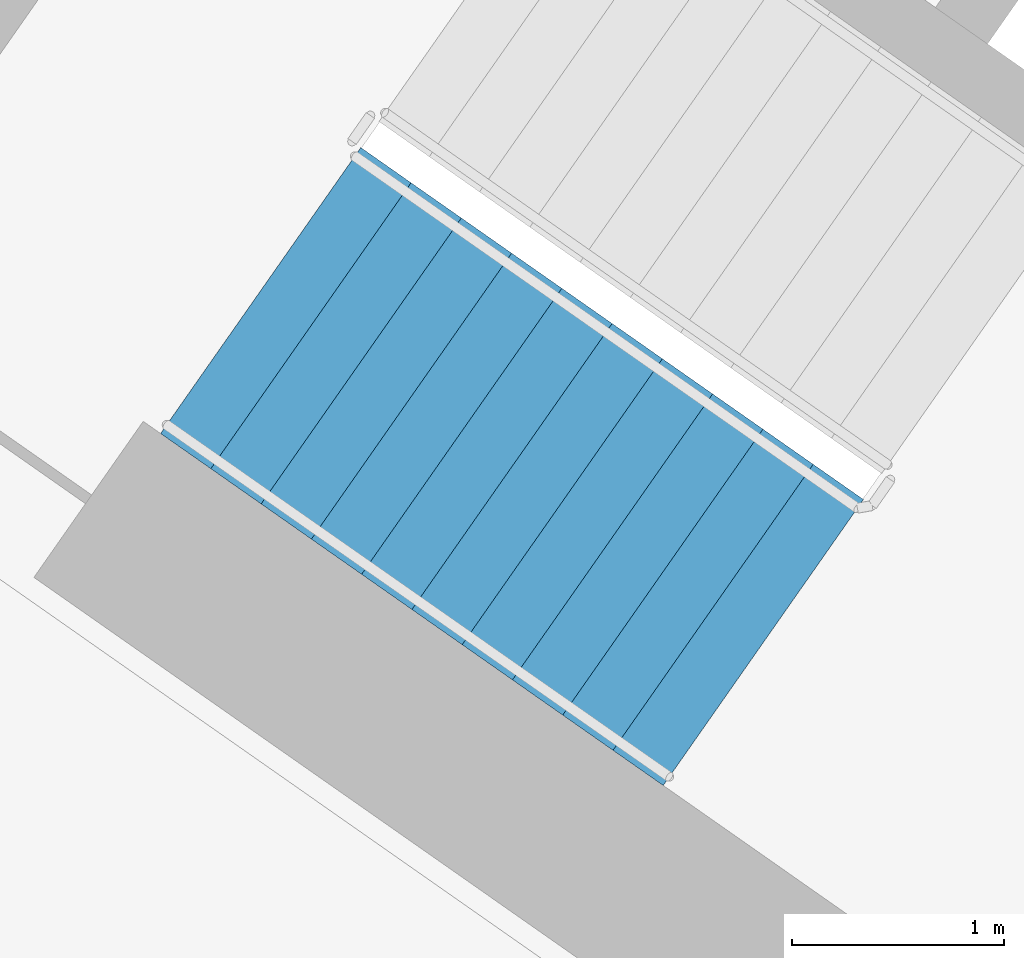
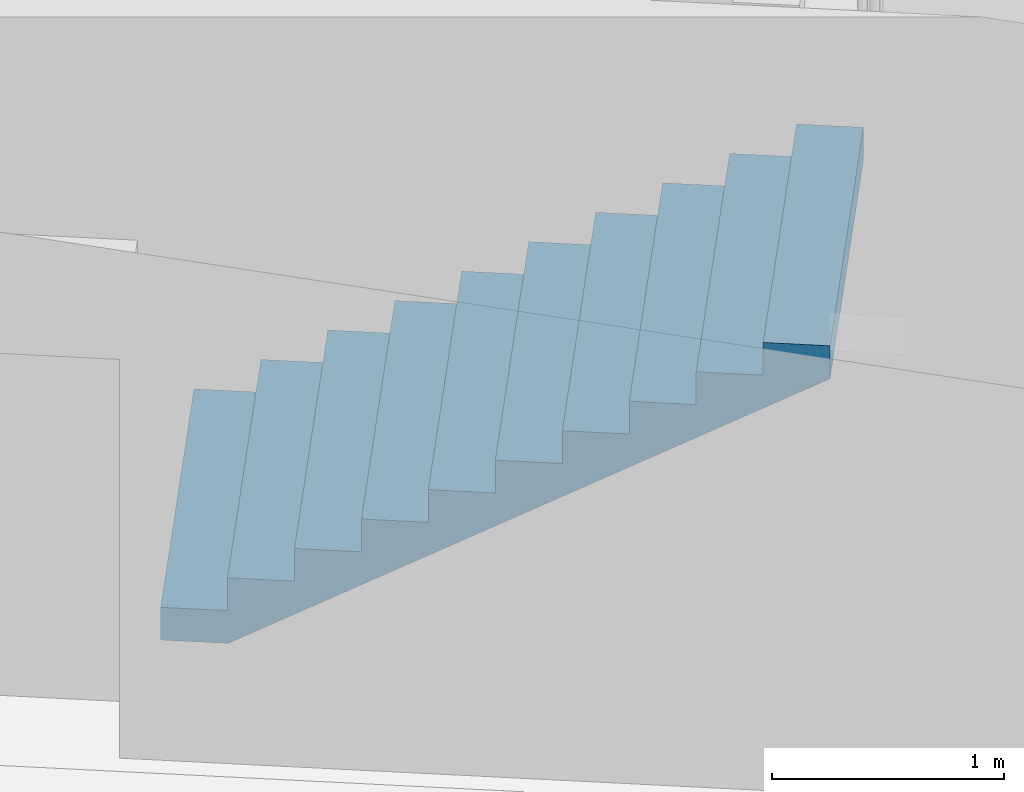
# One storey, part 10 of 31: 1 stair flight, 1 element without a shape of its own.
"""IFC4 building model written with IfcOpenShell, lengths in metres."""

import ifcopenshell
import ifcopenshell.guid

model = None  # the IFC model being written
_history = None  # IfcOwnerHistory: only IFC2X3 demands one
_inside = {}  # id of a spatial element -> (the spatial element, [elements in it])
_under = {}  # id of a project, library or spatial element -> (it, [spatial elements below it])
_declared = {}  # id of a project -> (the project, [libraries it declares])
_typed = {}  # id of a type object -> (the type object, [elements of that type])
_made_of = {}  # id of a material, layer set ... -> (it, [elements and type objects made of it])


def new_model(schema):
    """Start an empty IFC model of exactly this schema.

    Asked for "IFC4X3", IfcOpenShell would pick the latest addendum, in which some entities
    have other attributes; the version numbers below select the first issue.
    IFC2X3 requires an IfcOwnerHistory on every rooted entity: one is made here for all.
    """
    global model, _history
    if schema == "IFC4X3":
        model = ifcopenshell.file(schema_version=(4, 3, 0, 0))
    else:
        model = ifcopenshell.file(schema=schema)
    _inside.clear()
    _under.clear()
    _declared.clear()
    _typed.clear()
    _made_of.clear()
    _history = None
    if model.schema == "IFC2X3":
        org = make("IfcOrganization", Name="unknown")
        user = make(
            "IfcPersonAndOrganization",
            ThePerson=make("IfcPerson", FamilyName="unknown"),
            TheOrganization=org,
        )
        app = make(
            "IfcApplication",
            ApplicationDeveloper=org,
            Version="unknown",
            ApplicationFullName="unknown",
            ApplicationIdentifier="unknown",
        )
        _history = make(
            "IfcOwnerHistory",
            OwningUser=user,
            OwningApplication=app,
            ChangeAction="ADDED",
            CreationDate=0,
        )
    return model


def make(cls, **values):
    """One entity of the class cls with the attributes given. An attribute that is None is left unset."""
    return model.create_entity(
        cls, **{name: value for name, value in values.items() if value is not None}
    )


def rooted(cls, **values):
    """An entity with a GlobalId (a new one), such as an element, a storey or a relation."""
    return make(cls, GlobalId=ifcopenshell.guid.new(), OwnerHistory=_history, **values)


def si_unit(unit_type, name, prefix=None):
    """IfcSIUnit, for example si_unit("LENGTHUNIT", "METRE", prefix="MILLI")."""
    return make("IfcSIUnit", UnitType=unit_type, Prefix=prefix, Name=name)


def assignment(units):
    """IfcUnitAssignment: the units of a project."""
    return None if units is None else make("IfcUnitAssignment", Units=units)


def point(xyz):
    """IfcCartesianPoint."""
    return None if xyz is None else make("IfcCartesianPoint", Coordinates=xyz)


def direction(xyz):
    """IfcDirection."""
    return None if xyz is None else make("IfcDirection", DirectionRatios=xyz)


def frame(location, z_axis=None, x_axis=None):
    """IfcAxis2Placement3D, a coordinate frame: its origin and axes. An axis left out is left unset."""
    return make(
        "IfcAxis2Placement3D",
        Location=point(location),
        Axis=direction(z_axis),
        RefDirection=direction(x_axis),
    )


def origin():
    """The frame at (0, 0, 0) with its axes left unset."""
    return frame((0.0, 0.0, 0.0))


def place(relative_to, where):
    """IfcLocalPlacement: puts the frame where relative to a parent placement (None: the world)."""
    return make(
        "IfcLocalPlacement", PlacementRelTo=relative_to, RelativePlacement=where
    )


def context(
    kind, dimensions, precision=None, world=None, true_north=None, identifier=None
):
    """IfcGeometricRepresentationContext, for example the 3D "Model" context."""
    return make(
        "IfcGeometricRepresentationContext",
        ContextIdentifier=identifier,
        ContextType=kind,
        CoordinateSpaceDimension=dimensions,
        Precision=precision,
        WorldCoordinateSystem=world,
        TrueNorth=true_north,
    )


def subcontext(parent, identifier, kind, view, scale=None):
    """IfcGeometricRepresentationSubContext, for example "Body" below "Model"."""
    return make(
        "IfcGeometricRepresentationSubContext",
        ContextIdentifier=identifier,
        ContextType=kind,
        ParentContext=parent,
        TargetScale=scale,
        TargetView=view,
    )


def project(units=None, contexts=None):
    """IfcProject with its units and contexts."""
    return rooted(
        "IfcProject",
        Name="project",
        RepresentationContexts=contexts,
        UnitsInContext=assignment(units),
    )


def spatial(cls, under=None, at=None, **own):
    """A site, building, storey or space (cls), placed at a placement, below another one or the project."""
    s = rooted(cls, ObjectPlacement=at, **own)
    if under is not None:
        _under.setdefault(under.id(), (under, []))[1].append(s)
    return s


def faces_of(points, faces, orient=None, outer=None):
    """IfcFace entities. A face is a list of loops; a loop is a list of indices into points, from 0.

    orient and outer hold one flag for each loop. By default every Orientation is true, the
    first loop of a face is its IfcFaceOuterBound and the others are IfcFaceBound.
    """
    made = []
    for i, loops in enumerate(faces):
        bounds = []
        for j, loop in enumerate(loops):
            is_outer = j == 0 if outer is None else outer[i][j]
            bounds.append(
                make(
                    "IfcFaceOuterBound" if is_outer else "IfcFaceBound",
                    Bound=make("IfcPolyLoop", Polygon=[points[k] for k in loop]),
                    Orientation=True if orient is None else orient[i][j],
                )
            )
        made.append(make("IfcFace", Bounds=bounds))
    return made


def faceted_brep(points, faces, orient=None, outer=None, voids=None):
    """IfcFacetedBrep: a solid bounded by flat faces; with voids (closed shells), ...WithVoids."""
    shared = [point(p) for p in points]
    hull = make("IfcClosedShell", CfsFaces=faces_of(shared, faces, orient, outer))
    if voids is None:
        return make("IfcFacetedBrep", Outer=hull)
    return make(
        "IfcFacetedBrepWithVoids",
        Outer=hull,
        Voids=[
            make(cls, CfsFaces=faces_of(shared, fs, o, b)) for cls, fs, o, b in voids
        ],
    )


def shape(context_of_items, identifier, shape_type, items):
    """IfcShapeRepresentation: the items that make up one representation, for example the "Body"."""
    return make(
        "IfcShapeRepresentation",
        ContextOfItems=context_of_items,
        RepresentationIdentifier=identifier,
        RepresentationType=shape_type,
        Items=items,
    )


def material(Name=None, Category=None):
    """IfcMaterial."""
    return make("IfcMaterial", Name=Name, Category=Category)


def made_of(thing, what):
    """Note that an element or type object is made of a material, layer set ...; save() writes the relation."""
    if what is not None:
        _made_of.setdefault(what.id(), (what, []))[1].append(thing)
    return thing


def type_object(cls, material=None, **own):
    """A type object (cls), such as IfcWallType, which elements share."""
    return made_of(rooted(cls, **own), material)


def element(
    cls,
    number,
    at=None,
    inside=None,
    cuts=None,
    type_object=None,
    material=None,
    context=None,
    identifier="Body",
    shape_type=None,
    held_by="IfcProductDefinitionShape",
    body=None,
    shapes=None,
    **own,
):
    """One element of the class cls, such as IfcWall. Its Tag is "e" and its number.

    at: its placement. inside: the storey or other place that contains it. cuts: it is an
    opening in that element (IfcRelVoidsElement). A single representation is given by context,
    identifier, shape_type and body (its items); several are given by shapes. held_by: the class
    of the entity that holds the representations. save() writes the other relations.
    """
    e = rooted(cls, Tag="e%d" % number, ObjectPlacement=at, **own)
    if body is not None:
        shapes = [shape(context, identifier, shape_type, body)]
    if shapes is not None:
        e.Representation = make(held_by, Representations=shapes)
    if inside is not None:
        _inside.setdefault(inside.id(), (inside, []))[1].append(e)
    if cuts is not None:
        rooted(
            "IfcRelVoidsElement", RelatingBuildingElement=cuts, RelatedOpeningElement=e
        )
    if type_object is not None:
        _typed.setdefault(type_object.id(), (type_object, []))[1].append(e)
    return made_of(e, material)


def aggregate(whole, parts):
    """IfcRelAggregates: a whole, such as a stair, and the parts it consists of."""
    return rooted("IfcRelAggregates", RelatingObject=whole, RelatedObjects=parts)


def save(model, path):
    """Write the relations noted so far, then the file.

    IfcRelAggregates (storeys below a building ...), IfcRelContainedInSpatialStructure (elements
    in a storey), IfcRelDefinesByType, IfcRelAssociatesMaterial and IfcRelDeclares: one each for
    every whole, place, type object, material and project.
    """
    for whole, parts in _under.values():
        aggregate(whole, parts)
    for where, things in _inside.values():
        rooted(
            "IfcRelContainedInSpatialStructure",
            RelatedElements=things,
            RelatingStructure=where,
        )
    for kind, things in _typed.values():
        rooted("IfcRelDefinesByType", RelatedObjects=things, RelatingType=kind)
    for what, things in _made_of.values():
        rooted("IfcRelAssociatesMaterial", RelatedObjects=things, RelatingMaterial=what)
    for by, libraries in _declared.values():
        rooted("IfcRelDeclares", RelatingContext=by, RelatedDefinitions=libraries)
    model.write(path)


model = new_model("IFC4")

# Units and contexts
model_context = context("Model", 3, precision=1e-05, world=origin(), true_north=direction((0.0, 1.0)))
body_context = subcontext(model_context, "Body", "Model", "MODEL_VIEW")
ifc_project = project(units=[si_unit("LENGTHUNIT", "METRE"), si_unit("AREAUNIT", "SQUARE_METRE"), si_unit("VOLUMEUNIT", "CUBIC_METRE"), si_unit("PLANEANGLEUNIT", "RADIAN"), si_unit("MASSUNIT", "GRAM", prefix="KILO")], contexts=[model_context])

# Site, building, storey
site_placement = place(None, origin())
site = spatial("IfcSite", under=ifc_project, at=site_placement, CompositionType="ELEMENT")
building_placement = place(site_placement, origin())
building = spatial("IfcBuilding", under=site, at=building_placement, Name="Qamariyya Broadcast Tower", CompositionType="ELEMENT")
storey_placement = place(building_placement, frame((0.0, 0.0, 48.10009765625)))
storey = spatial("IfcBuildingStorey", under=building, at=storey_placement, Name="L08", CompositionType="ELEMENT", Elevation=48.10009765625)

# Stair, stair flight
ifc_material = material(Name="Concrete C50/60", Category="concrete")
stair_type = type_object("IfcStairType", Name="Exit stair 22 risers of 173 mm", PredefinedType="HALF_TURN_STAIR", material=ifc_material)
stair_placement = place(storey_placement, origin())
stair = element("IfcStair", 1, at=stair_placement, inside=storey, type_object=stair_type, Name="L08 Stair W1", PredefinedType="HALF_TURN_STAIR")
stair_flight_type = type_object("IfcStairFlightType", Name="Exit stair flight 11 risers of 173 mm", PredefinedType="STRAIGHT", material=ifc_material)
stair_flight_placement = place(storey_placement, frame((-47.06884765625, -56.982666015625, 0.0), z_axis=(0.0, 0.0, 1.0), x_axis=(0.819152044289, -0.573576436351, 0.0)))
stair_flight = element("IfcStairFlight", 2, at=stair_flight_placement, type_object=stair_flight_type, Name="ST-W1 flight 1", NumberOfRisers=11, NumberOfTreads=10, PredefinedType="STRAIGHT", RiserHeight=0.172727273, TreadLength=0.29, context=body_context, shape_type="Brep", body=[
    faceted_brep([(0.0, 0.824951171875, 0.0), (0.0, 0.824951171875, 0.172607421875), (0.2900390625, 0.824951171875, 0.172607421875), (0.2900390625, 0.824951171875, 0.345458984375), (0.580078125, 0.824951171875, 0.345458984375), (0.580078125, 0.824951171875, 0.51806640625), (0.8701171875, 0.824951171875, 0.51806640625), (0.8701171875, 0.824951171875, 0.69091796875), (1.159912109375, 0.824951171875, 0.69091796875), (1.159912109375, 0.824951171875, 0.863525390625), (1.449951171875, 0.824951171875, 0.863525390625), (1.449951171875, 0.824951171875, 1.036376953125), (1.739990234375, 0.824951171875, 1.036376953125), (1.739990234375, 0.824951171875, 1.208984375), (2.030029296875, 0.824951171875, 1.208984375), (2.030029296875, 0.824951171875, 1.3818359375), (2.320068359375, 0.824951171875, 1.3818359375), (2.320068359375, 0.824951171875, 1.554443359375), (2.610107421875, 0.824951171875, 1.554443359375), (2.610107421875, 0.824951171875, 1.727294921875), (2.89990234375, 0.824951171875, 1.727294921875), (2.89990234375, 0.824951171875, 1.552734375), (0.29296875, 0.824951171875, 0.0), (0.29296875, -0.824951171875, 0.0), (2.89990234375, -0.824951171875, 1.552734375), (2.89990234375, -0.824951171875, 1.727294921875), (2.610107421875, -0.824951171875, 1.727294921875), (2.610107421875, -0.824951171875, 1.554443359375), (2.320068359375, -0.824951171875, 1.554443359375), (2.320068359375, -0.824951171875, 1.3818359375), (2.030029296875, -0.824951171875, 1.3818359375), (2.030029296875, -0.824951171875, 1.208984375), (1.739990234375, -0.824951171875, 1.208984375), (1.739990234375, -0.824951171875, 1.036376953125), (1.449951171875, -0.824951171875, 1.036376953125), (1.449951171875, -0.824951171875, 0.863525390625), (1.159912109375, -0.824951171875, 0.863525390625), (1.159912109375, -0.824951171875, 0.69091796875), (0.8701171875, -0.824951171875, 0.69091796875), (0.8701171875, -0.824951171875, 0.51806640625), (0.580078125, -0.824951171875, 0.51806640625), (0.580078125, -0.824951171875, 0.345458984375), (0.2900390625, -0.824951171875, 0.345458984375), (0.2900390625, -0.824951171875, 0.172607421875), (0.0, -0.824951171875, 0.172607421875), (0.0, -0.824951171875, 0.0), (0.0, 0.10009765625, 0.0), (0.0, 0.086669921875, 0.0), (0.0, 0.0732421875, 0.0), (0.0, 0.06005859375, 0.0), (0.0, 0.046630859375, 0.0), (0.0, 0.033447265625, 0.0), (0.0, 0.02001953125, 0.0), (0.0, 0.006591796875, 0.0), (0.0, -0.006591796875, 0.0), (0.0, -0.02001953125, 0.0), (0.0, -0.033447265625, 0.0), (0.0, -0.046630859375, 0.0), (0.0, -0.06005859375, 0.0), (0.0, -0.0732421875, 0.0), (0.0, -0.086669921875, 0.0), (0.0, -0.10009765625, 0.0), (0.0, -0.10009765625, 0.172607421875), (0.0, -0.086669921875, 0.172607421875), (0.0, -0.0732421875, 0.172607421875), (0.0, -0.06005859375, 0.172607421875), (0.0, -0.046630859375, 0.172607421875), (0.0, -0.033447265625, 0.172607421875), (0.0, -0.02001953125, 0.172607421875), (0.0, -0.006591796875, 0.172607421875), (0.0, 0.006591796875, 0.172607421875), (0.0, 0.02001953125, 0.172607421875), (0.0, 0.033447265625, 0.172607421875), (0.0, 0.046630859375, 0.172607421875), (0.0, 0.06005859375, 0.172607421875), (0.0, 0.0732421875, 0.172607421875), (0.0, 0.086669921875, 0.172607421875), (0.0, 0.10009765625, 0.172607421875), (0.2900390625, -0.10009765625, 0.172607421875), (0.2900390625, -0.086669921875, 0.172607421875), (0.2900390625, -0.0732421875, 0.172607421875), (0.2900390625, -0.06005859375, 0.172607421875), (0.2900390625, -0.046630859375, 0.172607421875), (0.2900390625, -0.033447265625, 0.172607421875), (0.2900390625, -0.02001953125, 0.172607421875), (0.2900390625, -0.006591796875, 0.172607421875), (0.2900390625, 0.006591796875, 0.172607421875), (0.2900390625, 0.02001953125, 0.172607421875), (0.2900390625, 0.033447265625, 0.172607421875), (0.2900390625, 0.046630859375, 0.172607421875), (0.2900390625, 0.06005859375, 0.172607421875), (0.2900390625, 0.0732421875, 0.172607421875), (0.2900390625, 0.086669921875, 0.172607421875), (0.2900390625, 0.10009765625, 0.172607421875), (0.2900390625, -0.10009765625, 0.345458984375), (0.2900390625, -0.086669921875, 0.345458984375), (0.2900390625, -0.0732421875, 0.345458984375), (0.2900390625, -0.06005859375, 0.345458984375), (0.2900390625, -0.046630859375, 0.345458984375), (0.2900390625, -0.033447265625, 0.345458984375), (0.2900390625, -0.02001953125, 0.345458984375), (0.2900390625, -0.006591796875, 0.345458984375), (0.2900390625, 0.006591796875, 0.345458984375), (0.2900390625, 0.02001953125, 0.345458984375), (0.2900390625, 0.033447265625, 0.345458984375), (0.2900390625, 0.046630859375, 0.345458984375), (0.2900390625, 0.06005859375, 0.345458984375), (0.2900390625, 0.0732421875, 0.345458984375), (0.2900390625, 0.086669921875, 0.345458984375), (0.2900390625, 0.10009765625, 0.345458984375), (0.580078125, -0.10009765625, 0.345458984375), (0.580078125, -0.086669921875, 0.345458984375), (0.580078125, -0.0732421875, 0.345458984375), (0.580078125, -0.06005859375, 0.345458984375), (0.580078125, -0.046630859375, 0.345458984375), (0.580078125, -0.033447265625, 0.345458984375), (0.580078125, -0.02001953125, 0.345458984375), (0.580078125, -0.006591796875, 0.345458984375), (0.580078125, 0.006591796875, 0.345458984375), (0.580078125, 0.02001953125, 0.345458984375), (0.580078125, 0.033447265625, 0.345458984375), (0.580078125, 0.046630859375, 0.345458984375), (0.580078125, 0.06005859375, 0.345458984375), (0.580078125, 0.0732421875, 0.345458984375), (0.580078125, 0.086669921875, 0.345458984375), (0.580078125, 0.10009765625, 0.345458984375), (0.580078125, -0.10009765625, 0.51806640625), (0.580078125, -0.086669921875, 0.51806640625), (0.580078125, -0.0732421875, 0.51806640625), (0.580078125, -0.06005859375, 0.51806640625), (0.580078125, -0.046630859375, 0.51806640625), (0.580078125, -0.033447265625, 0.51806640625), (0.580078125, -0.02001953125, 0.51806640625), (0.580078125, -0.006591796875, 0.51806640625), (0.580078125, 0.006591796875, 0.51806640625), (0.580078125, 0.02001953125, 0.51806640625), (0.580078125, 0.033447265625, 0.51806640625), (0.580078125, 0.046630859375, 0.51806640625), (0.580078125, 0.06005859375, 0.51806640625), (0.580078125, 0.0732421875, 0.51806640625), (0.580078125, 0.086669921875, 0.51806640625), (0.580078125, 0.10009765625, 0.51806640625), (0.8701171875, -0.10009765625, 0.51806640625), (0.8701171875, -0.086669921875, 0.51806640625), (0.8701171875, -0.0732421875, 0.51806640625), (0.8701171875, -0.06005859375, 0.51806640625), (0.8701171875, -0.046630859375, 0.51806640625), (0.8701171875, -0.033447265625, 0.51806640625), (0.8701171875, -0.02001953125, 0.51806640625), (0.8701171875, -0.006591796875, 0.51806640625), (0.8701171875, 0.006591796875, 0.51806640625), (0.8701171875, 0.02001953125, 0.51806640625), (0.8701171875, 0.033447265625, 0.51806640625), (0.8701171875, 0.046630859375, 0.51806640625), (0.8701171875, 0.06005859375, 0.51806640625), (0.8701171875, 0.0732421875, 0.51806640625), (0.8701171875, 0.086669921875, 0.51806640625), (0.8701171875, 0.10009765625, 0.51806640625), (0.8701171875, -0.10009765625, 0.69091796875), (0.8701171875, -0.086669921875, 0.69091796875), (0.8701171875, -0.0732421875, 0.69091796875), (0.8701171875, -0.06005859375, 0.69091796875), (0.8701171875, -0.046630859375, 0.69091796875), (0.8701171875, -0.033447265625, 0.69091796875), (0.8701171875, -0.02001953125, 0.69091796875), (0.8701171875, -0.006591796875, 0.69091796875), (0.8701171875, 0.006591796875, 0.69091796875), (0.8701171875, 0.02001953125, 0.69091796875), (0.8701171875, 0.033447265625, 0.69091796875), (0.8701171875, 0.046630859375, 0.69091796875), (0.8701171875, 0.06005859375, 0.69091796875), (0.8701171875, 0.0732421875, 0.69091796875), (0.8701171875, 0.086669921875, 0.69091796875), (0.8701171875, 0.10009765625, 0.69091796875), (1.159912109375, -0.10009765625, 0.69091796875), (1.159912109375, -0.086669921875, 0.69091796875), (1.159912109375, -0.0732421875, 0.69091796875), (1.159912109375, -0.06005859375, 0.69091796875), (1.159912109375, -0.046630859375, 0.69091796875), (1.159912109375, -0.033447265625, 0.69091796875), (1.159912109375, -0.02001953125, 0.69091796875), (1.159912109375, -0.006591796875, 0.69091796875), (1.159912109375, 0.006591796875, 0.69091796875), (1.159912109375, 0.02001953125, 0.69091796875), (1.159912109375, 0.033447265625, 0.69091796875), (1.159912109375, 0.046630859375, 0.69091796875), (1.159912109375, 0.06005859375, 0.69091796875), (1.159912109375, 0.0732421875, 0.69091796875), (1.159912109375, 0.086669921875, 0.69091796875), (1.159912109375, 0.10009765625, 0.69091796875), (1.159912109375, -0.10009765625, 0.863525390625), (1.159912109375, -0.086669921875, 0.863525390625), (1.159912109375, -0.0732421875, 0.863525390625), (1.159912109375, -0.06005859375, 0.863525390625), (1.159912109375, -0.046630859375, 0.863525390625), (1.159912109375, -0.033447265625, 0.863525390625), (1.159912109375, -0.02001953125, 0.863525390625), (1.159912109375, -0.006591796875, 0.863525390625), (1.159912109375, 0.006591796875, 0.863525390625), (1.159912109375, 0.02001953125, 0.863525390625), (1.159912109375, 0.033447265625, 0.863525390625), (1.159912109375, 0.046630859375, 0.863525390625), (1.159912109375, 0.06005859375, 0.863525390625), (1.159912109375, 0.0732421875, 0.863525390625), (1.159912109375, 0.086669921875, 0.863525390625), (1.159912109375, 0.10009765625, 0.863525390625), (1.449951171875, -0.10009765625, 0.863525390625), (1.449951171875, -0.086669921875, 0.863525390625), (1.449951171875, -0.0732421875, 0.863525390625), (1.449951171875, -0.06005859375, 0.863525390625), (1.449951171875, -0.046630859375, 0.863525390625), (1.449951171875, -0.033447265625, 0.863525390625), (1.449951171875, -0.02001953125, 0.863525390625), (1.449951171875, -0.006591796875, 0.863525390625), (1.449951171875, 0.006591796875, 0.863525390625), (1.449951171875, 0.02001953125, 0.863525390625), (1.449951171875, 0.033447265625, 0.863525390625), (1.449951171875, 0.046630859375, 0.863525390625), (1.449951171875, 0.06005859375, 0.863525390625), (1.449951171875, 0.0732421875, 0.863525390625), (1.449951171875, 0.086669921875, 0.863525390625), (1.449951171875, 0.10009765625, 0.863525390625), (1.449951171875, -0.10009765625, 1.036376953125), (1.449951171875, -0.086669921875, 1.036376953125), (1.449951171875, -0.0732421875, 1.036376953125), (1.449951171875, -0.06005859375, 1.036376953125), (1.449951171875, -0.046630859375, 1.036376953125), (1.449951171875, -0.033447265625, 1.036376953125), (1.449951171875, -0.02001953125, 1.036376953125), (1.449951171875, -0.006591796875, 1.036376953125), (1.449951171875, 0.006591796875, 1.036376953125), (1.449951171875, 0.02001953125, 1.036376953125), (1.449951171875, 0.033447265625, 1.036376953125), (1.449951171875, 0.046630859375, 1.036376953125), (1.449951171875, 0.06005859375, 1.036376953125), (1.449951171875, 0.0732421875, 1.036376953125), (1.449951171875, 0.086669921875, 1.036376953125), (1.449951171875, 0.10009765625, 1.036376953125), (1.739990234375, -0.10009765625, 1.036376953125), (1.739990234375, -0.086669921875, 1.036376953125), (1.739990234375, -0.0732421875, 1.036376953125), (1.739990234375, -0.06005859375, 1.036376953125), (1.739990234375, -0.046630859375, 1.036376953125), (1.739990234375, -0.033447265625, 1.036376953125), (1.739990234375, -0.02001953125, 1.036376953125), (1.739990234375, -0.006591796875, 1.036376953125), (1.739990234375, 0.006591796875, 1.036376953125), (1.739990234375, 0.02001953125, 1.036376953125), (1.739990234375, 0.033447265625, 1.036376953125), (1.739990234375, 0.046630859375, 1.036376953125), (1.739990234375, 0.06005859375, 1.036376953125), (1.739990234375, 0.0732421875, 1.036376953125), (1.739990234375, 0.086669921875, 1.036376953125), (1.739990234375, 0.10009765625, 1.036376953125), (1.739990234375, -0.10009765625, 1.208984375), (1.739990234375, -0.086669921875, 1.208984375), (1.739990234375, -0.0732421875, 1.208984375), (1.739990234375, -0.06005859375, 1.208984375), (1.739990234375, -0.046630859375, 1.208984375), (1.739990234375, -0.033447265625, 1.208984375), (1.739990234375, -0.02001953125, 1.208984375), (1.739990234375, -0.006591796875, 1.208984375), (1.739990234375, 0.006591796875, 1.208984375), (1.739990234375, 0.02001953125, 1.208984375), (1.739990234375, 0.033447265625, 1.208984375), (1.739990234375, 0.046630859375, 1.208984375), (1.739990234375, 0.06005859375, 1.208984375), (1.739990234375, 0.0732421875, 1.208984375), (1.739990234375, 0.086669921875, 1.208984375), (1.739990234375, 0.10009765625, 1.208984375), (2.030029296875, -0.10009765625, 1.208984375), (2.030029296875, -0.086669921875, 1.208984375), (2.030029296875, -0.0732421875, 1.208984375), (2.030029296875, -0.06005859375, 1.208984375), (2.030029296875, -0.046630859375, 1.208984375), (2.030029296875, -0.033447265625, 1.208984375), (2.030029296875, -0.02001953125, 1.208984375), (2.030029296875, -0.006591796875, 1.208984375), (2.030029296875, 0.006591796875, 1.208984375), (2.030029296875, 0.02001953125, 1.208984375), (2.030029296875, 0.033447265625, 1.208984375), (2.030029296875, 0.046630859375, 1.208984375), (2.030029296875, 0.06005859375, 1.208984375), (2.030029296875, 0.0732421875, 1.208984375), (2.030029296875, 0.086669921875, 1.208984375), (2.030029296875, 0.10009765625, 1.208984375), (2.030029296875, -0.10009765625, 1.3818359375), (2.030029296875, -0.086669921875, 1.3818359375), (2.030029296875, -0.0732421875, 1.3818359375), (2.030029296875, -0.06005859375, 1.3818359375), (2.030029296875, -0.046630859375, 1.3818359375), (2.030029296875, -0.033447265625, 1.3818359375), (2.030029296875, -0.02001953125, 1.3818359375), (2.030029296875, -0.006591796875, 1.3818359375), (2.030029296875, 0.006591796875, 1.3818359375), (2.030029296875, 0.02001953125, 1.3818359375), (2.030029296875, 0.033447265625, 1.3818359375), (2.030029296875, 0.046630859375, 1.3818359375), (2.030029296875, 0.06005859375, 1.3818359375), (2.030029296875, 0.0732421875, 1.3818359375), (2.030029296875, 0.086669921875, 1.3818359375), (2.030029296875, 0.10009765625, 1.3818359375), (2.320068359375, -0.10009765625, 1.3818359375), (2.320068359375, -0.086669921875, 1.3818359375), (2.320068359375, -0.0732421875, 1.3818359375), (2.320068359375, -0.06005859375, 1.3818359375), (2.320068359375, -0.046630859375, 1.3818359375), (2.320068359375, -0.033447265625, 1.3818359375), (2.320068359375, -0.02001953125, 1.3818359375), (2.320068359375, -0.006591796875, 1.3818359375), (2.320068359375, 0.006591796875, 1.3818359375), (2.320068359375, 0.02001953125, 1.3818359375), (2.320068359375, 0.033447265625, 1.3818359375), (2.320068359375, 0.046630859375, 1.3818359375), (2.320068359375, 0.06005859375, 1.3818359375), (2.320068359375, 0.0732421875, 1.3818359375), (2.320068359375, 0.086669921875, 1.3818359375), (2.320068359375, 0.10009765625, 1.3818359375), (2.320068359375, -0.10009765625, 1.554443359375), (2.320068359375, -0.086669921875, 1.554443359375), (2.320068359375, -0.0732421875, 1.554443359375), (2.320068359375, -0.06005859375, 1.554443359375), (2.320068359375, -0.046630859375, 1.554443359375), (2.320068359375, -0.033447265625, 1.554443359375), (2.320068359375, -0.02001953125, 1.554443359375), (2.320068359375, -0.006591796875, 1.554443359375), (2.320068359375, 0.006591796875, 1.554443359375), (2.320068359375, 0.02001953125, 1.554443359375), (2.320068359375, 0.033447265625, 1.554443359375), (2.320068359375, 0.046630859375, 1.554443359375), (2.320068359375, 0.06005859375, 1.554443359375), (2.320068359375, 0.0732421875, 1.554443359375), (2.320068359375, 0.086669921875, 1.554443359375), (2.320068359375, 0.10009765625, 1.554443359375), (2.610107421875, -0.10009765625, 1.554443359375), (2.610107421875, -0.086669921875, 1.554443359375), (2.610107421875, -0.0732421875, 1.554443359375), (2.610107421875, -0.06005859375, 1.554443359375), (2.610107421875, -0.046630859375, 1.554443359375), (2.610107421875, -0.033447265625, 1.554443359375), (2.610107421875, -0.02001953125, 1.554443359375), (2.610107421875, -0.006591796875, 1.554443359375), (2.610107421875, 0.006591796875, 1.554443359375), (2.610107421875, 0.02001953125, 1.554443359375), (2.610107421875, 0.033447265625, 1.554443359375), (2.610107421875, 0.046630859375, 1.554443359375), (2.610107421875, 0.06005859375, 1.554443359375), (2.610107421875, 0.0732421875, 1.554443359375), (2.610107421875, 0.086669921875, 1.554443359375), (2.610107421875, 0.10009765625, 1.554443359375), (2.610107421875, -0.10009765625, 1.727294921875), (2.610107421875, -0.086669921875, 1.727294921875), (2.610107421875, -0.0732421875, 1.727294921875), (2.610107421875, -0.06005859375, 1.727294921875), (2.610107421875, -0.046630859375, 1.727294921875), (2.610107421875, -0.033447265625, 1.727294921875), (2.610107421875, -0.02001953125, 1.727294921875), (2.610107421875, -0.006591796875, 1.727294921875), (2.610107421875, 0.006591796875, 1.727294921875), (2.610107421875, 0.02001953125, 1.727294921875), (2.610107421875, 0.033447265625, 1.727294921875), (2.610107421875, 0.046630859375, 1.727294921875), (2.610107421875, 0.06005859375, 1.727294921875), (2.610107421875, 0.0732421875, 1.727294921875), (2.610107421875, 0.086669921875, 1.727294921875), (2.610107421875, 0.10009765625, 1.727294921875), (2.89990234375, -0.10009765625, 1.727294921875), (2.89990234375, -0.086669921875, 1.727294921875), (2.89990234375, -0.0732421875, 1.727294921875), (2.89990234375, -0.06005859375, 1.727294921875), (2.89990234375, -0.046630859375, 1.727294921875), (2.89990234375, -0.033447265625, 1.727294921875), (2.89990234375, -0.02001953125, 1.727294921875), (2.89990234375, -0.006591796875, 1.727294921875), (2.89990234375, 0.006591796875, 1.727294921875), (2.89990234375, 0.02001953125, 1.727294921875), (2.89990234375, 0.033447265625, 1.727294921875), (2.89990234375, 0.046630859375, 1.727294921875), (2.89990234375, 0.06005859375, 1.727294921875), (2.89990234375, 0.0732421875, 1.727294921875), (2.89990234375, 0.086669921875, 1.727294921875), (2.89990234375, 0.10009765625, 1.727294921875), (2.89990234375, -0.10009765625, 1.552734375), (2.89990234375, -0.086669921875, 1.552734375), (2.89990234375, -0.0732421875, 1.552734375), (2.89990234375, -0.06005859375, 1.552734375), (2.89990234375, -0.046630859375, 1.552734375), (2.89990234375, -0.033447265625, 1.552734375), (2.89990234375, -0.02001953125, 1.552734375), (2.89990234375, -0.006591796875, 1.552734375), (2.89990234375, 0.006591796875, 1.552734375), (2.89990234375, 0.02001953125, 1.552734375), (2.89990234375, 0.033447265625, 1.552734375), (2.89990234375, 0.046630859375, 1.552734375), (2.89990234375, 0.06005859375, 1.552734375), (2.89990234375, 0.0732421875, 1.552734375), (2.89990234375, 0.086669921875, 1.552734375), (2.89990234375, 0.10009765625, 1.552734375), (0.29296875, -0.10009765625, 0.0), (0.29296875, -0.086669921875, 0.0), (0.29296875, -0.0732421875, 0.0), (0.29296875, -0.06005859375, 0.0), (0.29296875, -0.046630859375, 0.0), (0.29296875, -0.033447265625, 0.0), (0.29296875, -0.02001953125, 0.0), (0.29296875, -0.006591796875, 0.0), (0.29296875, 0.006591796875, 0.0), (0.29296875, 0.02001953125, 0.0), (0.29296875, 0.033447265625, 0.0), (0.29296875, 0.046630859375, 0.0), (0.29296875, 0.06005859375, 0.0), (0.29296875, 0.0732421875, 0.0), (0.29296875, 0.086669921875, 0.0), (0.29296875, 0.10009765625, 0.0)], [[[0, 1, 2, 3, 4, 5, 6, 7, 8, 9, 10, 11, 12, 13, 14, 15, 16, 17, 18, 19, 20, 21, 22]], [[23, 24, 25, 26, 27, 28, 29, 30, 31, 32, 33, 34, 35, 36, 37, 38, 39, 40, 41, 42, 43, 44, 45]], [[0, 46, 47, 48, 49, 50, 51, 52, 53, 54, 55, 56, 57, 58, 59, 60, 61, 45, 44, 62, 63, 64, 65, 66, 67, 68, 69, 70, 71, 72, 73, 74, 75, 76, 77, 1]], [[1, 77, 76, 75, 74, 73, 72, 71, 70, 69, 68, 67, 66, 65, 64, 63, 62, 44, 43, 78, 79, 80, 81, 82, 83, 84, 85, 86, 87, 88, 89, 90, 91, 92, 93, 2]], [[2, 93, 92, 91, 90, 89, 88, 87, 86, 85, 84, 83, 82, 81, 80, 79, 78, 43, 42, 94, 95, 96, 97, 98, 99, 100, 101, 102, 103, 104, 105, 106, 107, 108, 109, 3]], [[3, 109, 108, 107, 106, 105, 104, 103, 102, 101, 100, 99, 98, 97, 96, 95, 94, 42, 41, 110, 111, 112, 113, 114, 115, 116, 117, 118, 119, 120, 121, 122, 123, 124, 125, 4]], [[4, 125, 124, 123, 122, 121, 120, 119, 118, 117, 116, 115, 114, 113, 112, 111, 110, 41, 40, 126, 127, 128, 129, 130, 131, 132, 133, 134, 135, 136, 137, 138, 139, 140, 141, 5]], [[5, 141, 140, 139, 138, 137, 136, 135, 134, 133, 132, 131, 130, 129, 128, 127, 126, 40, 39, 142, 143, 144, 145, 146, 147, 148, 149, 150, 151, 152, 153, 154, 155, 156, 157, 6]], [[6, 157, 156, 155, 154, 153, 152, 151, 150, 149, 148, 147, 146, 145, 144, 143, 142, 39, 38, 158, 159, 160, 161, 162, 163, 164, 165, 166, 167, 168, 169, 170, 171, 172, 173, 7]], [[7, 173, 172, 171, 170, 169, 168, 167, 166, 165, 164, 163, 162, 161, 160, 159, 158, 38, 37, 174, 175, 176, 177, 178, 179, 180, 181, 182, 183, 184, 185, 186, 187, 188, 189, 8]], [[8, 189, 188, 187, 186, 185, 184, 183, 182, 181, 180, 179, 178, 177, 176, 175, 174, 37, 36, 190, 191, 192, 193, 194, 195, 196, 197, 198, 199, 200, 201, 202, 203, 204, 205, 9]], [[9, 205, 204, 203, 202, 201, 200, 199, 198, 197, 196, 195, 194, 193, 192, 191, 190, 36, 35, 206, 207, 208, 209, 210, 211, 212, 213, 214, 215, 216, 217, 218, 219, 220, 221, 10]], [[10, 221, 220, 219, 218, 217, 216, 215, 214, 213, 212, 211, 210, 209, 208, 207, 206, 35, 34, 222, 223, 224, 225, 226, 227, 228, 229, 230, 231, 232, 233, 234, 235, 236, 237, 11]], [[11, 237, 236, 235, 234, 233, 232, 231, 230, 229, 228, 227, 226, 225, 224, 223, 222, 34, 33, 238, 239, 240, 241, 242, 243, 244, 245, 246, 247, 248, 249, 250, 251, 252, 253, 12]], [[12, 253, 252, 251, 250, 249, 248, 247, 246, 245, 244, 243, 242, 241, 240, 239, 238, 33, 32, 254, 255, 256, 257, 258, 259, 260, 261, 262, 263, 264, 265, 266, 267, 268, 269, 13]], [[13, 269, 268, 267, 266, 265, 264, 263, 262, 261, 260, 259, 258, 257, 256, 255, 254, 32, 31, 270, 271, 272, 273, 274, 275, 276, 277, 278, 279, 280, 281, 282, 283, 284, 285, 14]], [[14, 285, 284, 283, 282, 281, 280, 279, 278, 277, 276, 275, 274, 273, 272, 271, 270, 31, 30, 286, 287, 288, 289, 290, 291, 292, 293, 294, 295, 296, 297, 298, 299, 300, 301, 15]], [[15, 301, 300, 299, 298, 297, 296, 295, 294, 293, 292, 291, 290, 289, 288, 287, 286, 30, 29, 302, 303, 304, 305, 306, 307, 308, 309, 310, 311, 312, 313, 314, 315, 316, 317, 16]], [[16, 317, 316, 315, 314, 313, 312, 311, 310, 309, 308, 307, 306, 305, 304, 303, 302, 29, 28, 318, 319, 320, 321, 322, 323, 324, 325, 326, 327, 328, 329, 330, 331, 332, 333, 17]], [[17, 333, 332, 331, 330, 329, 328, 327, 326, 325, 324, 323, 322, 321, 320, 319, 318, 28, 27, 334, 335, 336, 337, 338, 339, 340, 341, 342, 343, 344, 345, 346, 347, 348, 349, 18]], [[18, 349, 348, 347, 346, 345, 344, 343, 342, 341, 340, 339, 338, 337, 336, 335, 334, 27, 26, 350, 351, 352, 353, 354, 355, 356, 357, 358, 359, 360, 361, 362, 363, 364, 365, 19]], [[19, 365, 364, 363, 362, 361, 360, 359, 358, 357, 356, 355, 354, 353, 352, 351, 350, 26, 25, 366, 367, 368, 369, 370, 371, 372, 373, 374, 375, 376, 377, 378, 379, 380, 381, 20]], [[20, 381, 380, 379, 378, 377, 376, 375, 374, 373, 372, 371, 370, 369, 368, 367, 366, 25, 24, 382, 383, 384, 385, 386, 387, 388, 389, 390, 391, 392, 393, 394, 395, 396, 397, 21]], [[21, 397, 396, 395, 394, 393, 392, 391, 390, 389, 388, 387, 386, 385, 384, 383, 382, 24, 23, 398, 399, 400, 401, 402, 403, 404, 405, 406, 407, 408, 409, 410, 411, 412, 413, 22]], [[22, 413, 412, 411, 410, 409, 408, 407, 406, 405, 404, 403, 402, 401, 400, 399, 398, 23, 45, 61, 60, 59, 58, 57, 56, 55, 54, 53, 52, 51, 50, 49, 48, 47, 46, 0]]]),
])
aggregate(stair, [stair_flight])

save(model, "model.ifc")
